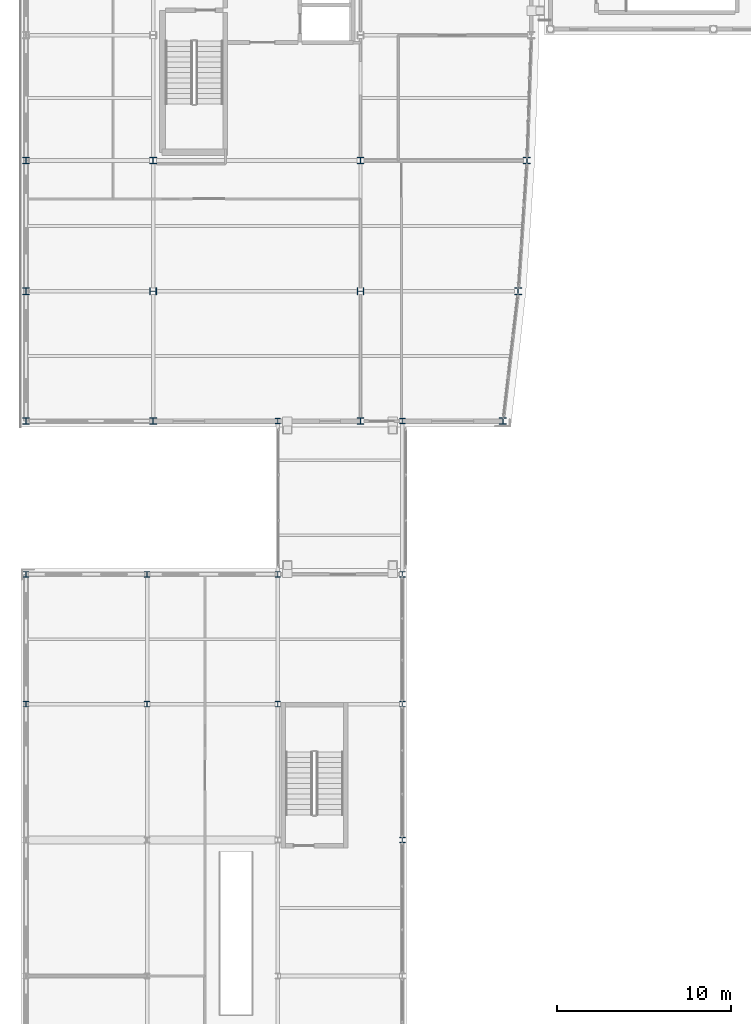
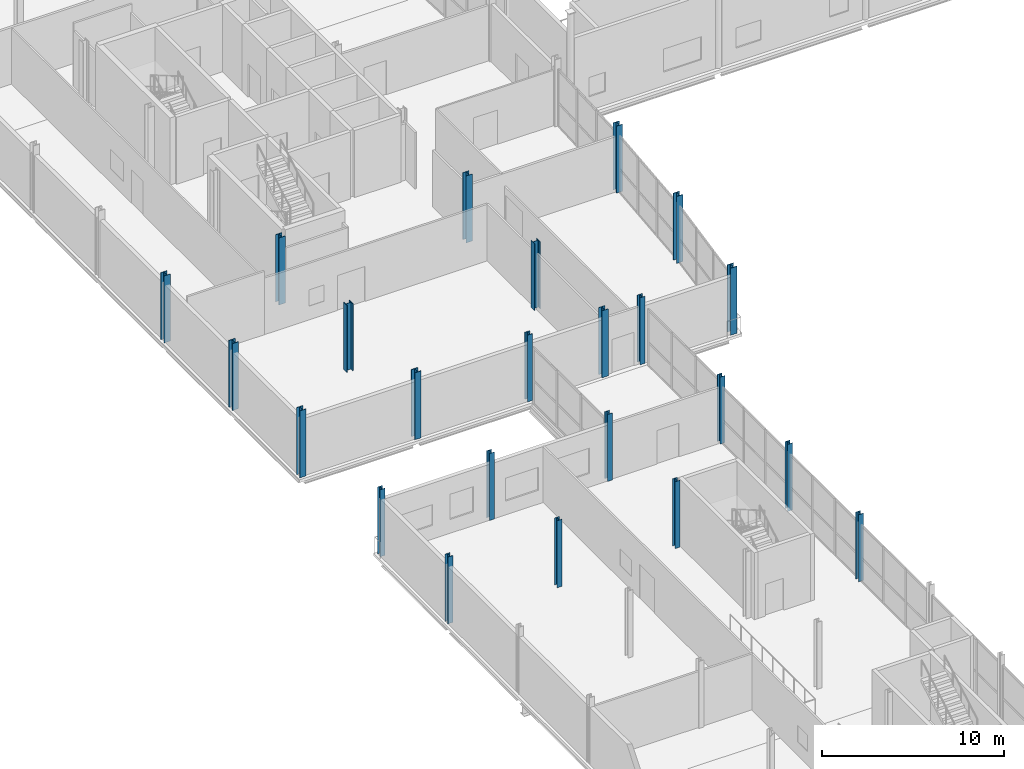
# One storey, part 2 of 77: 23 columns.
"""IFC4 building model written with IfcOpenShell, lengths in metres."""

from ifc_helpers import new_model, si_unit, direction, frame, origin, origin_2d, place, context, subcontext, project, spatial, i_section, extrude, material, material_profile, profile_set, type_object, element, save


model = new_model("IFC4")

# Units and contexts
model_context = context("Model", 3, precision=1e-05, world=origin(), true_north=direction((0.0, 1.0)))
body_context = subcontext(model_context, "Body", "Model", "MODEL_VIEW")
ifc_project = project(units=[si_unit("LENGTHUNIT", "METRE"), si_unit("AREAUNIT", "SQUARE_METRE"), si_unit("VOLUMEUNIT", "CUBIC_METRE"), si_unit("PLANEANGLEUNIT", "RADIAN"), si_unit("MASSUNIT", "GRAM", prefix="KILO")], contexts=[model_context])

# Site, building, storey
site_placement = place(None, origin())
site = spatial("IfcSite", under=ifc_project, at=site_placement, CompositionType="ELEMENT")
building_placement = place(site_placement, origin())
building = spatial("IfcBuilding", under=site, at=building_placement, Name="Quillay Park Conservatory", CompositionType="ELEMENT")
storey_placement = place(building_placement, frame((0.0, 0.0, 5.39990234375)))
storey = spatial("IfcBuildingStorey", under=building, at=storey_placement, Name="L01", CompositionType="ELEMENT", Elevation=5.39990234375)

# Columns
ifc_material_1 = material(Name="Steel ASTM A992 Grade 50", Category="steel")
ifc_material_profile_1 = material_profile(ifc_material_1, i_section(OverallWidth=0.30908203125, OverallDepth=0.322998046875, WebThickness=0.013916015625, FlangeThickness=0.02294921875, FilletRadius=0.014892578125, at=origin_2d()), Name="W310x143")
ifc_profile_set_1 = profile_set([ifc_material_profile_1], Name="Steel ASTM A992 Grade 50")
column_type_1 = type_object("IfcColumnType", Name="COMPOSITE STEEL COLUMN W310 X143", PredefinedType="COLUMN", material=ifc_profile_set_1)
for number, where, z_axis, x_axis, name in (
    (1, (0.550048828125, 46.800048828125, 0.0), (0.0, 0.0, 1.0), (1.0, 0.0, 0.0), "L01 column COL-V3-L01-0-6"),
    (2, (0.550048828125, 54.25, 0.0), (0.0, 0.0, 1.0), (1.0, 0.0, 0.0), "L01 column COL-V3-L01-0-7"),
    (3, (7.5, 46.800048828125, 0.0), (0.0, 0.0, 1.0), (1.0, 0.0, 0.0), "L01 column COL-V3-L01-1-6"),
    (4, (7.5, 54.25, 0.0), (0.0, 0.0, 1.0), (1.0, 0.0, 0.0), "L01 column COL-V3-L01-1-7"),
    (5, (15.0, 46.800048828125, 0.0), (0.0, 0.0, 1.0), (1.0, 0.0, 0.0), "L01 column COL-V3-L01-2-6"),
    (6, (15.0, 54.25, 0.0), (0.0, 0.0, 1.0), (1.0, 0.0, 0.0), "L01 column COL-V3-L01-2-7"),
    (7, (22.14990234375, 39.0, 0.0), (0.0, 0.0, 1.0), (1.0, 0.0, 0.0), "L01 column COL-V3-L01-3-5"),
    (8, (22.14990234375, 46.800048828125, 0.0), (0.0, 0.0, 1.0), (1.0, 0.0, 0.0), "L01 column COL-V3-L01-3-6"),
    (9, (22.14990234375, 54.25, 0.0), (0.0, 0.0, 1.0), (1.0, 0.0, 0.0), "L01 column COL-V3-L01-3-7"),
    (10, (15.0, 63.050048828125, 0.0), (0.0, 0.0, 1.0), (1.0, 0.0, 0.0), "L01 column COL-LB1N-L01-0"),
    (11, (22.14990234375, 63.050048828125, 0.0), (0.0, 0.0, 1.0), (1.0, 0.0, 0.0), "L01 column COL-LB1N-L01-1"),
):
    element("IfcColumn", number, at=place(storey_placement, frame(where, z_axis=z_axis, x_axis=x_axis)), inside=storey, type_object=column_type_1, Name=name, PredefinedType="COLUMN", context=body_context, shape_type="SweptSolid", body=[
        extrude(i_section(OverallWidth=0.30908203125, OverallDepth=0.322998046875, WebThickness=0.013916015625, FlangeThickness=0.02294921875, FilletRadius=0.014892578125, at=origin_2d()), origin(), (0.0, 0.0, 1.0), 4.5),
    ])
ifc_material_2 = material(Name="Steel ASTM A992 Grade 50", Category="steel")
ifc_material_profile_2 = material_profile(ifc_material_2, i_section(OverallWidth=0.39892578125, OverallDepth=0.39306640625, WebThickness=0.022705078125, FlangeThickness=0.0361328125, FilletRadius=0.014892578125, at=origin_2d()), Name="W360x287")
ifc_profile_set_2 = profile_set([ifc_material_profile_2], Name="Steel ASTM A992 Grade 50")
column_type_2 = type_object("IfcColumnType", Name="COMPOSITE STEEL COLUMN W360 X287", PredefinedType="COLUMN", material=ifc_profile_set_2)
for number, where, z_axis, x_axis, name in (
    (12, (0.550048828125, 63.050048828125, 0.0), (0.0, 0.0, 1.0), (1.0, 0.0, 0.0), "L01 column COL-V4-L01-0-0"),
    (13, (7.85009765625, 63.050048828125, 0.0), (0.0, 0.0, 1.0), (1.0, 0.0, 0.0), "L01 column COL-V4-L01-0-1"),
    (14, (19.75, 63.050048828125, 0.0), (0.0, 0.0, 1.0), (1.0, 0.0, 0.0), "L01 column COL-V4-L01-0-2"),
    (15, (27.925048828125, 63.050048828125, 0.0), (0.0, 0.0, 1.0), (1.0, 0.0, 0.0), "L01 column COL-V4-L01-0-3"),
    (16, (0.550048828125, 70.5, 0.0), (0.0, 0.0, 1.0), (1.0, 0.0, 0.0), "L01 column COL-V4-L01-1-0"),
    (17, (7.85009765625, 70.5, 0.0), (0.0, 0.0, 1.0), (0.0, 1.0, 0.0), "L01 column COL-V4-L01-1-1"),
    (18, (19.75, 70.5, 0.0), (0.0, 0.0, 1.0), (0.0, 1.0, 0.0), "L01 column COL-V4-L01-1-2"),
    (19, (28.800048828125, 70.5, 0.0), (0.0, 0.0, 1.0), (1.0, 0.0, 0.0), "L01 column COL-V4-L01-1-3"),
    (20, (0.550048828125, 78.0, 0.0), (0.0, 0.0, 1.0), (1.0, 0.0, 0.0), "L01 column COL-V4-L01-2-0"),
    (21, (7.85009765625, 78.0, 0.0), (0.0, 0.0, 1.0), (1.0, 0.0, 0.0), "L01 column COL-V4-L01-2-1"),
    (22, (19.75, 78.0, 0.0), (0.0, 0.0, 1.0), (1.0, 0.0, 0.0), "L01 column COL-V4-L01-2-2"),
    (23, (29.300048828125, 78.0, 0.0), (0.0, 0.0, 1.0), (1.0, 0.0, 0.0), "L01 column COL-V4-L01-2-3"),
):
    element("IfcColumn", number, at=place(storey_placement, frame(where, z_axis=z_axis, x_axis=x_axis)), inside=storey, type_object=column_type_2, Name=name, PredefinedType="COLUMN", context=body_context, shape_type="SweptSolid", body=[
        extrude(i_section(OverallWidth=0.39892578125, OverallDepth=0.39306640625, WebThickness=0.022705078125, FlangeThickness=0.0361328125, FilletRadius=0.014892578125, at=origin_2d()), origin(), (0.0, 0.0, 1.0), 4.5),
    ])

save(model, "model.ifc")
